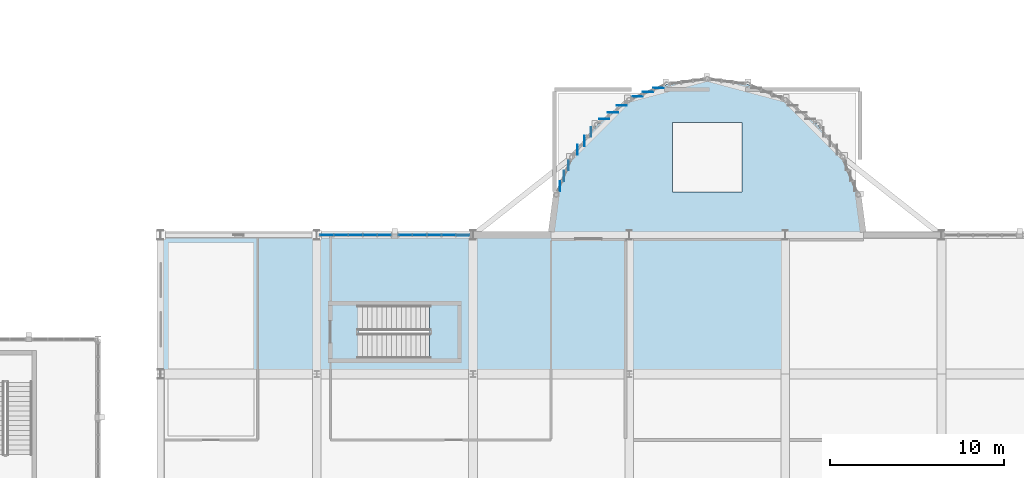
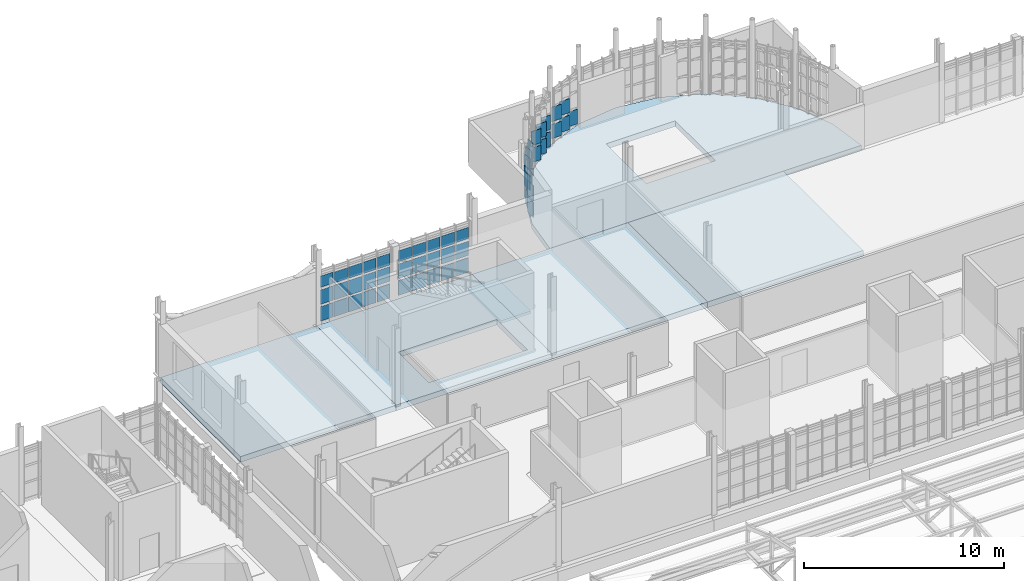
# One storey, part 88 of 128: 53 plates, 6 slabs, 7 elements without a shape of their own.
"""IFC4 building model written with IfcOpenShell, lengths in metres."""

from ifc_helpers import new_model, si_unit, direction, frame, origin, origin_2d, place, context, subcontext, project, spatial, polyline, rectangle, outline, extrude, material, layer, layer_set, type_object, element, aggregate, save


model = new_model("IFC4")

# Units and contexts
model_context = context("Model", 3, precision=1e-05, world=origin(), true_north=direction((0.0, 1.0)))
body_context = subcontext(model_context, "Body", "Model", "MODEL_VIEW")
ifc_project = project(units=[si_unit("LENGTHUNIT", "METRE"), si_unit("AREAUNIT", "SQUARE_METRE"), si_unit("VOLUMEUNIT", "CUBIC_METRE"), si_unit("PLANEANGLEUNIT", "RADIAN"), si_unit("MASSUNIT", "GRAM", prefix="KILO")], contexts=[model_context])

# Site, building, storey
site_placement = place(None, origin())
site = spatial("IfcSite", under=ifc_project, at=site_placement, CompositionType="ELEMENT")
building_placement = place(site_placement, origin())
building = spatial("IfcBuilding", under=site, at=building_placement, Name="Serraforn Aerial Cableway Station", CompositionType="ELEMENT")
storey_placement = place(building_placement, frame((0.0, 0.0, 9.0)))
storey = spatial("IfcBuildingStorey", under=building, at=storey_placement, Name="L02", CompositionType="ELEMENT", Elevation=9.0)

# Curtain wall, plates
ifc_material_1 = material(Name="Anodised bronze unitised curtain wall")
curtain_wall_type_1 = type_object("IfcCurtainWallType", Name="CW-SYS-17", PredefinedType="USERDEFINED", material=ifc_material_1)
curtain_wall_1_placement = place(storey_placement, origin())
curtain_wall_1 = element("IfcCurtainWall", 1, at=curtain_wall_1_placement, inside=storey, type_object=curtain_wall_type_1, Name="Unitised Curtain Wall CW-CV-L02-N2A", ObjectType="UNITISED CURTAIN WALL", PredefinedType="USERDEFINED")
ifc_material_2 = material(Name="Solar-control low-E double glazing", Category="glass")
ifc_layer_1 = layer(ifc_material_2, 0.02587890625)
ifc_layer_set_1 = layer_set([ifc_layer_1], Name="Solar-control low-E double glazing")
plate_type_1 = type_object("IfcPlateType", Name="CW-GLZ-1", PredefinedType="CURTAIN_PANEL", material=ifc_layer_set_1)
plate_1_placement = place(storey_placement, frame((44.20166015625, 42.0, 2.24169921875), z_axis=(0.0, 0.0, 1.0), x_axis=(1.0, 0.0, 0.0)))
plate_1 = element("IfcPlate", 2, at=plate_1_placement, type_object=plate_type_1, Name="Curtain Wall Panel CW-CV-L02-N2A-P2-3", PredefinedType="CURTAIN_PANEL", context=body_context, shape_type="SweptSolid", body=[
    extrude(rectangle(XDim=0.77099609375, YDim=0.02587890625, at=origin_2d()), origin(), (0.0, 0.0, 1.0), 0.709716796875),
])
plate_2_placement = place(storey_placement, frame((43.3671875, 42.0, 1.2158203125), z_axis=(0.0, 0.0, 1.0), x_axis=(1.0, 0.0, 0.0)))
plate_2 = element("IfcPlate", 3, at=plate_2_placement, type_object=plate_type_1, Name="Curtain Wall Panel CW-CV-L02-N2A-P3-2", PredefinedType="CURTAIN_PANEL", context=body_context, shape_type="SweptSolid", body=[
    extrude(rectangle(XDim=0.765869140625, YDim=0.02587890625, at=origin_2d()), origin(), (0.0, 0.0, 1.0), 0.9150390625),
])
plate_3_placement = place(storey_placement, frame((42.526611328125, 42.0, 0.189697265625), z_axis=(0.0, 0.0, 1.0), x_axis=(1.0, 0.0, 0.0)))
plate_3 = element("IfcPlate", 4, at=plate_3_placement, type_object=plate_type_1, Name="Curtain Wall Panel CW-CV-L02-N2A-P4-1", PredefinedType="CURTAIN_PANEL", context=body_context, shape_type="SweptSolid", body=[
    extrude(rectangle(XDim=0.7734375, YDim=0.02587890625, at=origin_2d()), origin(), (0.0, 0.0, 1.0), 0.9150390625),
])

curtain_wall_type_2 = type_object("IfcCurtainWallType", Name="CW-SYS-18", PredefinedType="USERDEFINED", material=ifc_material_1)
curtain_wall_2_placement = place(storey_placement, origin())
curtain_wall_2 = element("IfcCurtainWall", 5, at=curtain_wall_2_placement, inside=storey, type_object=curtain_wall_type_2, Name="Unitised Curtain Wall CW-CV-L02-N2B", ObjectType="UNITISED CURTAIN WALL", PredefinedType="USERDEFINED")
plate_4_placement = place(storey_placement, frame((40.48779296875, 42.0, 2.24169921875), z_axis=(0.0, 0.0, 1.0), x_axis=(1.0, 0.0, 0.0)))
plate_4 = element("IfcPlate", 6, at=plate_4_placement, type_object=plate_type_1, Name="Curtain Wall Panel CW-CV-L02-N2B-P1-3", PredefinedType="CURTAIN_PANEL", context=body_context, shape_type="SweptSolid", body=[
    extrude(rectangle(XDim=0.73828125, YDim=0.02587890625, at=origin_2d()), origin(), (0.0, 0.0, 1.0), 0.709716796875),
])
plate_5_placement = place(storey_placement, frame((39.669677734375, 42.0, 1.2158203125), z_axis=(0.0, 0.0, 1.0), x_axis=(1.0, 0.0, 0.0)))
plate_5 = element("IfcPlate", 7, at=plate_5_placement, type_object=plate_type_1, Name="Curtain Wall Panel CW-CV-L02-N2B-P2-2", PredefinedType="CURTAIN_PANEL", context=body_context, shape_type="SweptSolid", body=[
    extrude(rectangle(XDim=0.765869140625, YDim=0.02587890625, at=origin_2d()), origin(), (0.0, 0.0, 1.0), 0.9150390625),
])
plate_6_placement = place(storey_placement, frame((38.8291015625, 42.0, 0.189697265625), z_axis=(0.0, 0.0, 1.0), x_axis=(1.0, 0.0, 0.0)))
plate_6 = element("IfcPlate", 8, at=plate_6_placement, type_object=plate_type_1, Name="Curtain Wall Panel CW-CV-L02-N2B-P3-1", PredefinedType="CURTAIN_PANEL", context=body_context, shape_type="SweptSolid", body=[
    extrude(rectangle(XDim=0.7734375, YDim=0.02587890625, at=origin_2d()), origin(), (0.0, 0.0, 1.0), 0.9150390625),
])

# Curtain wall, plate
curtain_wall_type_3 = type_object("IfcCurtainWallType", Name="CW-SYS-5", PredefinedType="USERDEFINED", material=ifc_material_1)
curtain_wall_3_placement = place(storey_placement, origin())
curtain_wall_3 = element("IfcCurtainWall", 9, at=curtain_wall_3_placement, inside=storey, type_object=curtain_wall_type_3, Name="Unitised Curtain Wall CW-AP-L02-R2", ObjectType="UNITISED CURTAIN WALL", PredefinedType="USERDEFINED")
plate_7_placement = place(storey_placement, frame((50.60498046875, 44.807861328125, 1.220703125), z_axis=(0.0, 0.0, 1.0), x_axis=(1.0, 0.0, 0.0)))
plate_7 = element("IfcPlate", 10, at=plate_7_placement, type_object=plate_type_1, Name="Curtain Wall Panel CW-AP-L02-R2-P3-2", PredefinedType="CURTAIN_PANEL", context=body_context, shape_type="SweptSolid", body=[
    extrude(rectangle(XDim=0.02587890625, YDim=0.5771484375, at=origin_2d()), origin(), (0.0, 0.0, 1.0), 0.902587890625),
])

# Curtain wall, plates
curtain_wall_type_4 = type_object("IfcCurtainWallType", Name="CW-SYS-6", PredefinedType="USERDEFINED", material=ifc_material_1)
curtain_wall_4_placement = place(storey_placement, origin())
curtain_wall_4 = element("IfcCurtainWall", 11, at=curtain_wall_4_placement, inside=storey, type_object=curtain_wall_type_4, Name="Unitised Curtain Wall CW-AP-L02-R3", ObjectType="UNITISED CURTAIN WALL", PredefinedType="USERDEFINED")
plate_8_placement = place(storey_placement, frame((52.017822265625, 47.427978515625, 1.220703125), z_axis=(0.0, 0.0, 1.0), x_axis=(1.0, 0.0, 0.0)))
plate_8 = element("IfcPlate", 12, at=plate_8_placement, type_object=plate_type_1, Name="Curtain Wall Panel CW-AP-L02-R3-P2-2", PredefinedType="CURTAIN_PANEL", context=body_context, shape_type="SweptSolid", body=[
    extrude(rectangle(XDim=0.02587890625, YDim=0.595947265625, at=origin_2d()), origin(), (0.0, 0.0, 1.0), 0.902587890625),
])
plate_9_placement = place(storey_placement, frame((51.630859375, 46.923828125, 0.19482421875), z_axis=(0.0, 0.0, 1.0), x_axis=(1.0, 0.0, 0.0)))
plate_9 = element("IfcPlate", 13, at=plate_9_placement, type_object=plate_type_1, Name="Curtain Wall Panel CW-AP-L02-R3-P3-1", PredefinedType="CURTAIN_PANEL", context=body_context, shape_type="SweptSolid", body=[
    extrude(rectangle(XDim=0.02587890625, YDim=0.573486328125, at=origin_2d()), origin(), (0.0, 0.0, 1.0), 0.902587890625),
])

curtain_wall_type_5 = type_object("IfcCurtainWallType", Name="CW-SYS-7", PredefinedType="USERDEFINED", material=ifc_material_1)
curtain_wall_5_placement = place(storey_placement, origin())
curtain_wall_5 = element("IfcCurtainWall", 14, at=curtain_wall_5_placement, inside=storey, type_object=curtain_wall_type_5, Name="Unitised Curtain Wall CW-AP-L02-R4", ObjectType="UNITISED CURTAIN WALL", PredefinedType="USERDEFINED")
plate_10_placement = place(storey_placement, frame((54.17041015625, 49.464599609375, 1.220703125), z_axis=(0.0, 0.0, 1.0), x_axis=(1.0, 0.0, 0.0)))
plate_10 = element("IfcPlate", 15, at=plate_10_placement, type_object=plate_type_1, Name="Curtain Wall Panel CW-AP-L02-R4-P1-2", PredefinedType="CURTAIN_PANEL", context=body_context, shape_type="SweptSolid", body=[
    extrude(rectangle(XDim=0.558349609375, YDim=0.02587890625, at=origin_2d()), origin(), (0.0, 0.0, 1.0), 0.902587890625),
])
plate_11_placement = place(storey_placement, frame((53.6689453125, 49.079833984375, 0.19482421875), z_axis=(0.0, 0.0, 1.0), x_axis=(1.0, 0.0, 0.0)))
plate_11 = element("IfcPlate", 16, at=plate_11_placement, type_object=plate_type_1, Name="Curtain Wall Panel CW-AP-L02-R4-P2-1", PredefinedType="CURTAIN_PANEL", context=body_context, shape_type="SweptSolid", body=[
    extrude(rectangle(XDim=0.603515625, YDim=0.02587890625, at=origin_2d()), origin(), (0.0, 0.0, 1.0), 0.902587890625),
])

# Curtain wall, plate
curtain_wall_type_6 = type_object("IfcCurtainWallType", Name="CW-SYS-8", PredefinedType="USERDEFINED", material=ifc_material_1)
curtain_wall_6_placement = place(storey_placement, origin())
curtain_wall_6 = element("IfcCurtainWall", 17, at=curtain_wall_6_placement, inside=storey, type_object=curtain_wall_type_6, Name="Unitised Curtain Wall CW-AP-L02-R5", ObjectType="UNITISED CURTAIN WALL", PredefinedType="USERDEFINED")
plate_12_placement = place(storey_placement, frame((56.288818359375, 50.49365234375, 0.19482421875), z_axis=(0.0, 0.0, 1.0), x_axis=(1.0, 0.0, 0.0)))
plate_12 = element("IfcPlate", 18, at=plate_12_placement, type_object=plate_type_1, Name="Curtain Wall Panel CW-AP-L02-R5-P1-1", PredefinedType="CURTAIN_PANEL", context=body_context, shape_type="SweptSolid", body=[
    extrude(rectangle(XDim=0.584716796875, YDim=0.02587890625, at=origin_2d()), origin(), (0.0, 0.0, 1.0), 0.902587890625),
])

# Plate
ifc_layer_2 = layer(ifc_material_2, 0.028076171875)
ifc_layer_set_2 = layer_set([ifc_layer_2], Name="Solar-control low-E double glazing")
plate_type_2 = type_object("IfcPlateType", Name="CW-GLZ-2", PredefinedType="CURTAIN_PANEL", material=ifc_layer_set_2)
plate_13_placement = place(storey_placement, frame((43.3671875, 42.0, 2.246826171875), z_axis=(0.0, 0.0, 1.0), x_axis=(1.0, 0.0, 0.0)))
plate_13 = element("IfcPlate", 19, at=plate_13_placement, type_object=plate_type_2, Name="Curtain Wall Panel CW-CV-L02-N2A-P3-3", PredefinedType="CURTAIN_PANEL", context=body_context, shape_type="SweptSolid", body=[
    extrude(rectangle(XDim=0.765869140625, YDim=0.028076171875, at=origin_2d()), origin(), (0.0, 0.0, 1.0), 0.697265625),
])

plate_14_placement = place(storey_placement, frame((42.526611328125, 42.0, 1.220703125), z_axis=(0.0, 0.0, 1.0), x_axis=(1.0, 0.0, 0.0)))
plate_14 = element("IfcPlate", 20, at=plate_14_placement, type_object=plate_type_2, Name="Curtain Wall Panel CW-CV-L02-N2A-P4-2", PredefinedType="CURTAIN_PANEL", context=body_context, shape_type="SweptSolid", body=[
    extrude(rectangle(XDim=0.7734375, YDim=0.028076171875, at=origin_2d()), origin(), (0.0, 0.0, 1.0), 0.902587890625),
])

plate_15_placement = place(storey_placement, frame((41.71337890625, 42.0, 0.19482421875), z_axis=(0.0, 0.0, 1.0), x_axis=(1.0, 0.0, 0.0)))
plate_15 = element("IfcPlate", 21, at=plate_15_placement, type_object=plate_type_2, Name="Curtain Wall Panel CW-CV-L02-N2A-P5-1", PredefinedType="CURTAIN_PANEL", context=body_context, shape_type="SweptSolid", body=[
    extrude(rectangle(XDim=0.7509765625, YDim=0.028076171875, at=origin_2d()), origin(), (0.0, 0.0, 1.0), 0.902587890625),
])

plate_16_placement = place(storey_placement, frame((39.669677734375, 42.0, 2.246826171875), z_axis=(0.0, 0.0, 1.0), x_axis=(1.0, 0.0, 0.0)))
plate_16 = element("IfcPlate", 22, at=plate_16_placement, type_object=plate_type_2, Name="Curtain Wall Panel CW-CV-L02-N2B-P2-3", PredefinedType="CURTAIN_PANEL", context=body_context, shape_type="SweptSolid", body=[
    extrude(rectangle(XDim=0.765869140625, YDim=0.028076171875, at=origin_2d()), origin(), (0.0, 0.0, 1.0), 0.697265625),
])

plate_17_placement = place(storey_placement, frame((38.8291015625, 42.0, 1.220703125), z_axis=(0.0, 0.0, 1.0), x_axis=(1.0, 0.0, 0.0)))
plate_17 = element("IfcPlate", 23, at=plate_17_placement, type_object=plate_type_2, Name="Curtain Wall Panel CW-CV-L02-N2B-P3-2", PredefinedType="CURTAIN_PANEL", context=body_context, shape_type="SweptSolid", body=[
    extrude(rectangle(XDim=0.7734375, YDim=0.028076171875, at=origin_2d()), origin(), (0.0, 0.0, 1.0), 0.902587890625),
])

plate_18_placement = place(storey_placement, frame((38.000732421875, 42.0, 0.19482421875), z_axis=(0.0, 0.0, 1.0), x_axis=(1.0, 0.0, 0.0)))
plate_18 = element("IfcPlate", 24, at=plate_18_placement, type_object=plate_type_2, Name="Curtain Wall Panel CW-CV-L02-N2B-P4-1", PredefinedType="CURTAIN_PANEL", context=body_context, shape_type="SweptSolid", body=[
    extrude(rectangle(XDim=0.781005859375, YDim=0.028076171875, at=origin_2d()), origin(), (0.0, 0.0, 1.0), 0.902587890625),
])

plate_19_placement = place(storey_placement, frame((51.630859375, 46.923828125, 1.228515625), z_axis=(0.0, 0.0, 1.0), x_axis=(1.0, 0.0, 0.0)))
plate_19 = element("IfcPlate", 25, at=plate_19_placement, type_object=plate_type_2, Name="Curtain Wall Panel CW-AP-L02-R3-P3-2", PredefinedType="CURTAIN_PANEL", context=body_context, shape_type="SweptSolid", body=[
    extrude(rectangle(XDim=0.028076171875, YDim=0.573486328125, at=origin_2d()), origin(), (0.0, 0.0, 1.0), 0.887451171875),
])

plate_20_placement = place(storey_placement, frame((53.6689453125, 49.079833984375, 1.228515625), z_axis=(0.0, 0.0, 1.0), x_axis=(1.0, 0.0, 0.0)))
plate_20 = element("IfcPlate", 26, at=plate_20_placement, type_object=plate_type_2, Name="Curtain Wall Panel CW-AP-L02-R4-P2-2", PredefinedType="CURTAIN_PANEL", context=body_context, shape_type="SweptSolid", body=[
    extrude(rectangle(XDim=0.603515625, YDim=0.028076171875, at=origin_2d()), origin(), (0.0, 0.0, 1.0), 0.887451171875),
])

plate_21_placement = place(storey_placement, frame((53.160888671875, 48.68994140625, 0.2021484375), z_axis=(0.0, 0.0, 1.0), x_axis=(1.0, 0.0, 0.0)))
plate_21 = element("IfcPlate", 27, at=plate_21_placement, type_object=plate_type_2, Name="Curtain Wall Panel CW-AP-L02-R4-P3-1", PredefinedType="CURTAIN_PANEL", context=body_context, shape_type="SweptSolid", body=[
    extrude(rectangle(XDim=0.56591796875, YDim=0.028076171875, at=origin_2d()), origin(), (0.0, 0.0, 1.0), 0.887451171875),
])

plate_22_placement = place(storey_placement, frame((55.6865234375, 50.244140625, 0.2021484375), z_axis=(0.0, 0.0, 1.0), x_axis=(1.0, 0.0, 0.0)))
plate_22 = element("IfcPlate", 28, at=plate_22_placement, type_object=plate_type_2, Name="Curtain Wall Panel CW-AP-L02-R5-P2-1", PredefinedType="CURTAIN_PANEL", context=body_context, shape_type="SweptSolid", body=[
    extrude(rectangle(XDim=0.607177734375, YDim=0.028076171875, at=origin_2d()), origin(), (0.0, 0.0, 1.0), 0.887451171875),
])

ifc_layer_3 = layer(ifc_material_2, 0.030029296875)
ifc_layer_set_3 = layer_set([ifc_layer_3], Name="Solar-control low-E double glazing")
plate_type_3 = type_object("IfcPlateType", Name="CW-GLZ-3", PredefinedType="CURTAIN_PANEL", material=ifc_layer_set_3)
plate_23_placement = place(storey_placement, frame((42.526611328125, 42.0, 2.25439453125), z_axis=(0.0, 0.0, 1.0), x_axis=(1.0, 0.0, 0.0)))
plate_23 = element("IfcPlate", 29, at=plate_23_placement, type_object=plate_type_3, Name="Curtain Wall Panel CW-CV-L02-N2A-P4-3", PredefinedType="CURTAIN_PANEL", context=body_context, shape_type="SweptSolid", body=[
    extrude(rectangle(XDim=0.7734375, YDim=0.030029296875, at=origin_2d()), origin(), (0.0, 0.0, 1.0), 0.682373046875),
])

plate_24_placement = place(storey_placement, frame((41.71337890625, 42.0, 1.228515625), z_axis=(0.0, 0.0, 1.0), x_axis=(1.0, 0.0, 0.0)))
plate_24 = element("IfcPlate", 30, at=plate_24_placement, type_object=plate_type_3, Name="Curtain Wall Panel CW-CV-L02-N2A-P5-2", PredefinedType="CURTAIN_PANEL", context=body_context, shape_type="SweptSolid", body=[
    extrude(rectangle(XDim=0.7509765625, YDim=0.030029296875, at=origin_2d()), origin(), (0.0, 0.0, 1.0), 0.887451171875),
])

plate_25_placement = place(storey_placement, frame((38.8291015625, 42.0, 2.25439453125), z_axis=(0.0, 0.0, 1.0), x_axis=(1.0, 0.0, 0.0)))
plate_25 = element("IfcPlate", 31, at=plate_25_placement, type_object=plate_type_3, Name="Curtain Wall Panel CW-CV-L02-N2B-P3-3", PredefinedType="CURTAIN_PANEL", context=body_context, shape_type="SweptSolid", body=[
    extrude(rectangle(XDim=0.7734375, YDim=0.030029296875, at=origin_2d()), origin(), (0.0, 0.0, 1.0), 0.682373046875),
])

plate_26_placement = place(storey_placement, frame((38.000732421875, 42.0, 1.228515625), z_axis=(0.0, 0.0, 1.0), x_axis=(1.0, 0.0, 0.0)))
plate_26 = element("IfcPlate", 32, at=plate_26_placement, type_object=plate_type_3, Name="Curtain Wall Panel CW-CV-L02-N2B-P4-2", PredefinedType="CURTAIN_PANEL", context=body_context, shape_type="SweptSolid", body=[
    extrude(rectangle(XDim=0.781005859375, YDim=0.030029296875, at=origin_2d()), origin(), (0.0, 0.0, 1.0), 0.887451171875),
])

plate_27_placement = place(storey_placement, frame((37.1826171875, 42.0, 0.2021484375), z_axis=(0.0, 0.0, 1.0), x_axis=(1.0, 0.0, 0.0)))
plate_27 = element("IfcPlate", 33, at=plate_27_placement, type_object=plate_type_3, Name="Curtain Wall Panel CW-CV-L02-N2B-P5-1", PredefinedType="CURTAIN_PANEL", context=body_context, shape_type="SweptSolid", body=[
    extrude(rectangle(XDim=0.743408203125, YDim=0.030029296875, at=origin_2d()), origin(), (0.0, 0.0, 1.0), 0.887451171875),
])

plate_28_placement = place(storey_placement, frame((53.160888671875, 48.68994140625, 1.23583984375), z_axis=(0.0, 0.0, 1.0), x_axis=(1.0, 0.0, 0.0)))
plate_28 = element("IfcPlate", 34, at=plate_28_placement, type_object=plate_type_3, Name="Curtain Wall Panel CW-AP-L02-R4-P3-2", PredefinedType="CURTAIN_PANEL", context=body_context, shape_type="SweptSolid", body=[
    extrude(rectangle(XDim=0.56591796875, YDim=0.030029296875, at=origin_2d()), origin(), (0.0, 0.0, 1.0), 0.87255859375),
])

plate_29_placement = place(storey_placement, frame((55.6865234375, 50.244140625, 1.23583984375), z_axis=(0.0, 0.0, 1.0), x_axis=(1.0, 0.0, 0.0)))
plate_29 = element("IfcPlate", 35, at=plate_29_placement, type_object=plate_type_3, Name="Curtain Wall Panel CW-AP-L02-R5-P2-2", PredefinedType="CURTAIN_PANEL", context=body_context, shape_type="SweptSolid", body=[
    extrude(rectangle(XDim=0.607177734375, YDim=0.030029296875, at=origin_2d()), origin(), (0.0, 0.0, 1.0), 0.87255859375),
])

plate_30_placement = place(storey_placement, frame((55.087646484375, 49.99609375, 0.209716796875), z_axis=(0.0, 0.0, 1.0), x_axis=(1.0, 0.0, 0.0)))
plate_30 = element("IfcPlate", 36, at=plate_30_placement, type_object=plate_type_3, Name="Curtain Wall Panel CW-AP-L02-R5-P3-1", PredefinedType="CURTAIN_PANEL", context=body_context, shape_type="SweptSolid", body=[
    extrude(rectangle(XDim=0.567138671875, YDim=0.030029296875, at=origin_2d()), origin(), (0.0, 0.0, 1.0), 0.87255859375),
])

ifc_layer_4 = layer(ifc_material_2, 0.031982421875)
ifc_layer_set_4 = layer_set([ifc_layer_4], Name="Solar-control low-E double glazing")
plate_type_4 = type_object("IfcPlateType", Name="CW-GLZ-4", PredefinedType="CURTAIN_PANEL", material=ifc_layer_set_4)
plate_31_placement = place(storey_placement, frame((41.71337890625, 42.0, 2.26171875), z_axis=(0.0, 0.0, 1.0), x_axis=(1.0, 0.0, 0.0)))
plate_31 = element("IfcPlate", 37, at=plate_31_placement, type_object=plate_type_4, Name="Curtain Wall Panel CW-CV-L02-N2A-P5-3", PredefinedType="CURTAIN_PANEL", context=body_context, shape_type="SweptSolid", body=[
    extrude(rectangle(XDim=0.7509765625, YDim=0.031982421875, at=origin_2d()), origin(), (0.0, 0.0, 1.0), 0.667236328125),
])

plate_32_placement = place(storey_placement, frame((38.000732421875, 42.0, 2.26171875), z_axis=(0.0, 0.0, 1.0), x_axis=(1.0, 0.0, 0.0)))
plate_32 = element("IfcPlate", 38, at=plate_32_placement, type_object=plate_type_4, Name="Curtain Wall Panel CW-CV-L02-N2B-P4-3", PredefinedType="CURTAIN_PANEL", context=body_context, shape_type="SweptSolid", body=[
    extrude(rectangle(XDim=0.781005859375, YDim=0.031982421875, at=origin_2d()), origin(), (0.0, 0.0, 1.0), 0.667236328125),
])

plate_33_placement = place(storey_placement, frame((37.1826171875, 42.0, 1.23583984375), z_axis=(0.0, 0.0, 1.0), x_axis=(1.0, 0.0, 0.0)))
plate_33 = element("IfcPlate", 39, at=plate_33_placement, type_object=plate_type_4, Name="Curtain Wall Panel CW-CV-L02-N2B-P5-2", PredefinedType="CURTAIN_PANEL", context=body_context, shape_type="SweptSolid", body=[
    extrude(rectangle(XDim=0.743408203125, YDim=0.031982421875, at=origin_2d()), origin(), (0.0, 0.0, 1.0), 0.87255859375),
])

plate_34_placement = place(storey_placement, frame((55.087646484375, 49.99609375, 1.243408203125), z_axis=(0.0, 0.0, 1.0), x_axis=(1.0, 0.0, 0.0)))
plate_34 = element("IfcPlate", 40, at=plate_34_placement, type_object=plate_type_4, Name="Curtain Wall Panel CW-AP-L02-R5-P3-2", PredefinedType="CURTAIN_PANEL", context=body_context, shape_type="SweptSolid", body=[
    extrude(rectangle(XDim=0.567138671875, YDim=0.031982421875, at=origin_2d()), origin(), (0.0, 0.0, 1.0), 0.892578125),
])

aggregate(curtain_wall_6, [plate_12, plate_22, plate_29, plate_30, plate_34])

ifc_layer_5 = layer(ifc_material_2, 0.033935546875)
ifc_layer_set_5 = layer_set([ifc_layer_5], Name="Solar-control low-E double glazing")
plate_type_5 = type_object("IfcPlateType", Name="CW-GLZ-5", PredefinedType="CURTAIN_PANEL", material=ifc_layer_set_5)
plate_35_placement = place(storey_placement, frame((37.1826171875, 42.0, 2.26953125), z_axis=(0.0, 0.0, 1.0), x_axis=(1.0, 0.0, 0.0)))
plate_35 = element("IfcPlate", 41, at=plate_35_placement, type_object=plate_type_5, Name="Curtain Wall Panel CW-CV-L02-N2B-P5-3", PredefinedType="CURTAIN_PANEL", context=body_context, shape_type="SweptSolid", body=[
    extrude(rectangle(XDim=0.743408203125, YDim=0.033935546875, at=origin_2d()), origin(), (0.0, 0.0, 1.0), 0.687255859375),
])

ifc_layer_6 = layer(ifc_material_2, 0.035888671875)
ifc_layer_set_6 = layer_set([ifc_layer_6], Name="Solar-control low-E double glazing")
plate_type_6 = type_object("IfcPlateType", Name="CW-GLZ-6", PredefinedType="CURTAIN_PANEL", material=ifc_layer_set_6)
plate_36_placement = place(storey_placement, frame((45.02099609375, 42.0, 0.2021484375), z_axis=(0.0, 0.0, 1.0), x_axis=(1.0, 0.0, 0.0)))
plate_36 = element("IfcPlate", 42, at=plate_36_placement, type_object=plate_type_6, Name="Curtain Wall Panel CW-CV-L02-N2A-P1-1", PredefinedType="CURTAIN_PANEL", context=body_context, shape_type="SweptSolid", body=[
    extrude(rectangle(XDim=0.745849609375, YDim=0.035888671875, at=origin_2d()), origin(), (0.0, 0.0, 1.0), 0.887451171875),
])

plate_37_placement = place(storey_placement, frame((51.105224609375, 46.015869140625, 0.209716796875), z_axis=(0.0, 0.0, 1.0), x_axis=(1.0, 0.0, 0.0)))
plate_37 = element("IfcPlate", 43, at=plate_37_placement, type_object=plate_type_6, Name="Curtain Wall Panel CW-AP-L02-R2-P1-1", PredefinedType="CURTAIN_PANEL", context=body_context, shape_type="SweptSolid", body=[
    extrude(rectangle(XDim=0.035888671875, YDim=0.569580078125, at=origin_2d()), origin(), (0.0, 0.0, 1.0), 0.87255859375),
])

ifc_layer_7 = layer(ifc_material_2, 0.029052734375)
ifc_layer_set_7 = layer_set([ifc_layer_7], Name="Solar-control low-E double glazing")
plate_type_7 = type_object("IfcPlateType", Name="CW-GLZ-7", PredefinedType="CURTAIN_PANEL", material=ifc_layer_set_7)
plate_38_placement = place(storey_placement, frame((45.02099609375, 42.0, 1.23583984375), z_axis=(0.0, 0.0, 1.0), x_axis=(1.0, 0.0, 0.0)))
plate_38 = element("IfcPlate", 44, at=plate_38_placement, type_object=plate_type_7, Name="Curtain Wall Panel CW-CV-L02-N2A-P1-2", PredefinedType="CURTAIN_PANEL", context=body_context, shape_type="SweptSolid", body=[
    extrude(rectangle(XDim=0.745849609375, YDim=0.029052734375, at=origin_2d()), origin(), (0.0, 0.0, 1.0), 0.87255859375),
])

plate_39_placement = place(storey_placement, frame((44.20166015625, 42.0, 0.209716796875), z_axis=(0.0, 0.0, 1.0), x_axis=(1.0, 0.0, 0.0)))
plate_39 = element("IfcPlate", 45, at=plate_39_placement, type_object=plate_type_7, Name="Curtain Wall Panel CW-CV-L02-N2A-P2-1", PredefinedType="CURTAIN_PANEL", context=body_context, shape_type="SweptSolid", body=[
    extrude(rectangle(XDim=0.77099609375, YDim=0.029052734375, at=origin_2d()), origin(), (0.0, 0.0, 1.0), 0.87255859375),
])

plate_40_placement = place(storey_placement, frame((40.48779296875, 42.0, 0.209716796875), z_axis=(0.0, 0.0, 1.0), x_axis=(1.0, 0.0, 0.0)))
plate_40 = element("IfcPlate", 46, at=plate_40_placement, type_object=plate_type_7, Name="Curtain Wall Panel CW-CV-L02-N2B-P1-1", PredefinedType="CURTAIN_PANEL", context=body_context, shape_type="SweptSolid", body=[
    extrude(rectangle(XDim=0.73828125, YDim=0.029052734375, at=origin_2d()), origin(), (0.0, 0.0, 1.0), 0.87255859375),
])

plate_41_placement = place(storey_placement, frame((51.105224609375, 46.015869140625, 1.243408203125), z_axis=(0.0, 0.0, 1.0), x_axis=(1.0, 0.0, 0.0)))
plate_41 = element("IfcPlate", 47, at=plate_41_placement, type_object=plate_type_7, Name="Curtain Wall Panel CW-AP-L02-R2-P1-2", PredefinedType="CURTAIN_PANEL", context=body_context, shape_type="SweptSolid", body=[
    extrude(rectangle(XDim=0.029052734375, YDim=0.569580078125, at=origin_2d()), origin(), (0.0, 0.0, 1.0), 0.892578125),
])

plate_42_placement = place(storey_placement, frame((50.856689453125, 45.416015625, 0.21728515625), z_axis=(0.0, 0.0, 1.0), x_axis=(1.0, 0.0, 0.0)))
plate_42 = element("IfcPlate", 48, at=plate_42_placement, type_object=plate_type_7, Name="Curtain Wall Panel CW-AP-L02-R2-P2-1", PredefinedType="CURTAIN_PANEL", context=body_context, shape_type="SweptSolid", body=[
    extrude(rectangle(XDim=0.029052734375, YDim=0.59716796875, at=origin_2d()), origin(), (0.0, 0.0, 1.0), 0.892578125),
])

plate_43_placement = place(storey_placement, frame((52.410888671875, 47.940185546875, 0.21728515625), z_axis=(0.0, 0.0, 1.0), x_axis=(1.0, 0.0, 0.0)))
plate_43 = element("IfcPlate", 49, at=plate_43_placement, type_object=plate_type_7, Name="Curtain Wall Panel CW-AP-L02-R3-P1-1", PredefinedType="CURTAIN_PANEL", context=body_context, shape_type="SweptSolid", body=[
    extrude(rectangle(XDim=0.029052734375, YDim=0.553466796875, at=origin_2d()), origin(), (0.0, 0.0, 1.0), 0.892578125),
])

ifc_layer_8 = layer(ifc_material_2, 0.031005859375)
ifc_layer_set_8 = layer_set([ifc_layer_8], Name="Solar-control low-E double glazing")
plate_type_8 = type_object("IfcPlateType", Name="CW-GLZ-8", PredefinedType="CURTAIN_PANEL", material=ifc_layer_set_8)
plate_44_placement = place(storey_placement, frame((45.02099609375, 42.0, 2.26953125), z_axis=(0.0, 0.0, 1.0), x_axis=(1.0, 0.0, 0.0)))
plate_44 = element("IfcPlate", 50, at=plate_44_placement, type_object=plate_type_8, Name="Curtain Wall Panel CW-CV-L02-N2A-P1-3", PredefinedType="CURTAIN_PANEL", context=body_context, shape_type="SweptSolid", body=[
    extrude(rectangle(XDim=0.745849609375, YDim=0.031005859375, at=origin_2d()), origin(), (0.0, 0.0, 1.0), 0.687255859375),
])

plate_45_placement = place(storey_placement, frame((44.20166015625, 42.0, 1.243408203125), z_axis=(0.0, 0.0, 1.0), x_axis=(1.0, 0.0, 0.0)))
plate_45 = element("IfcPlate", 51, at=plate_45_placement, type_object=plate_type_8, Name="Curtain Wall Panel CW-CV-L02-N2A-P2-2", PredefinedType="CURTAIN_PANEL", context=body_context, shape_type="SweptSolid", body=[
    extrude(rectangle(XDim=0.77099609375, YDim=0.031005859375, at=origin_2d()), origin(), (0.0, 0.0, 1.0), 0.892578125),
])

plate_46_placement = place(storey_placement, frame((43.3671875, 42.0, 0.21728515625), z_axis=(0.0, 0.0, 1.0), x_axis=(1.0, 0.0, 0.0)))
plate_46 = element("IfcPlate", 52, at=plate_46_placement, type_object=plate_type_8, Name="Curtain Wall Panel CW-CV-L02-N2A-P3-1", PredefinedType="CURTAIN_PANEL", context=body_context, shape_type="SweptSolid", body=[
    extrude(rectangle(XDim=0.765869140625, YDim=0.031005859375, at=origin_2d()), origin(), (0.0, 0.0, 1.0), 0.892578125),
])

aggregate(curtain_wall_1, [plate_36, plate_38, plate_44, plate_39, plate_45, plate_1, plate_46, plate_2, plate_13, plate_3, plate_14, plate_23, plate_15, plate_24, plate_31])

plate_47_placement = place(storey_placement, frame((40.48779296875, 42.0, 1.243408203125), z_axis=(0.0, 0.0, 1.0), x_axis=(1.0, 0.0, 0.0)))
plate_47 = element("IfcPlate", 53, at=plate_47_placement, type_object=plate_type_8, Name="Curtain Wall Panel CW-CV-L02-N2B-P1-2", PredefinedType="CURTAIN_PANEL", context=body_context, shape_type="SweptSolid", body=[
    extrude(rectangle(XDim=0.73828125, YDim=0.031005859375, at=origin_2d()), origin(), (0.0, 0.0, 1.0), 0.892578125),
])

plate_48_placement = place(storey_placement, frame((39.669677734375, 42.0, 0.21728515625), z_axis=(0.0, 0.0, 1.0), x_axis=(1.0, 0.0, 0.0)))
plate_48 = element("IfcPlate", 54, at=plate_48_placement, type_object=plate_type_8, Name="Curtain Wall Panel CW-CV-L02-N2B-P2-1", PredefinedType="CURTAIN_PANEL", context=body_context, shape_type="SweptSolid", body=[
    extrude(rectangle(XDim=0.765869140625, YDim=0.031005859375, at=origin_2d()), origin(), (0.0, 0.0, 1.0), 0.892578125),
])

aggregate(curtain_wall_2, [plate_40, plate_47, plate_4, plate_48, plate_5, plate_16, plate_6, plate_17, plate_25, plate_18, plate_26, plate_32, plate_27, plate_33, plate_35])

plate_49_placement = place(storey_placement, frame((50.856689453125, 45.416015625, 1.2158203125), z_axis=(0.0, 0.0, 1.0), x_axis=(1.0, 0.0, 0.0)))
plate_49 = element("IfcPlate", 55, at=plate_49_placement, type_object=plate_type_8, Name="Curtain Wall Panel CW-AP-L02-R2-P2-2", PredefinedType="CURTAIN_PANEL", context=body_context, shape_type="SweptSolid", body=[
    extrude(rectangle(XDim=0.031005859375, YDim=0.59716796875, at=origin_2d()), origin(), (0.0, 0.0, 1.0), 0.9150390625),
])

plate_50_placement = place(storey_placement, frame((50.60498046875, 44.807861328125, 0.189697265625), z_axis=(0.0, 0.0, 1.0), x_axis=(1.0, 0.0, 0.0)))
plate_50 = element("IfcPlate", 56, at=plate_50_placement, type_object=plate_type_8, Name="Curtain Wall Panel CW-AP-L02-R2-P3-1", PredefinedType="CURTAIN_PANEL", context=body_context, shape_type="SweptSolid", body=[
    extrude(rectangle(XDim=0.031005859375, YDim=0.5771484375, at=origin_2d()), origin(), (0.0, 0.0, 1.0), 0.9150390625),
])

aggregate(curtain_wall_3, [plate_37, plate_41, plate_42, plate_49, plate_50, plate_7])

plate_51_placement = place(storey_placement, frame((52.410888671875, 47.940185546875, 1.2158203125), z_axis=(0.0, 0.0, 1.0), x_axis=(1.0, 0.0, 0.0)))
plate_51 = element("IfcPlate", 57, at=plate_51_placement, type_object=plate_type_8, Name="Curtain Wall Panel CW-AP-L02-R3-P1-2", PredefinedType="CURTAIN_PANEL", context=body_context, shape_type="SweptSolid", body=[
    extrude(rectangle(XDim=0.031005859375, YDim=0.553466796875, at=origin_2d()), origin(), (0.0, 0.0, 1.0), 0.9150390625),
])

plate_52_placement = place(storey_placement, frame((52.017822265625, 47.427978515625, 0.189697265625), z_axis=(0.0, 0.0, 1.0), x_axis=(1.0, 0.0, 0.0)))
plate_52 = element("IfcPlate", 58, at=plate_52_placement, type_object=plate_type_8, Name="Curtain Wall Panel CW-AP-L02-R3-P2-1", PredefinedType="CURTAIN_PANEL", context=body_context, shape_type="SweptSolid", body=[
    extrude(rectangle(XDim=0.031005859375, YDim=0.595947265625, at=origin_2d()), origin(), (0.0, 0.0, 1.0), 0.9150390625),
])

aggregate(curtain_wall_4, [plate_43, plate_51, plate_52, plate_8, plate_9, plate_19])

plate_53_placement = place(storey_placement, frame((54.17041015625, 49.464599609375, 0.189697265625), z_axis=(0.0, 0.0, 1.0), x_axis=(1.0, 0.0, 0.0)))
plate_53 = element("IfcPlate", 59, at=plate_53_placement, type_object=plate_type_8, Name="Curtain Wall Panel CW-AP-L02-R4-P1-1", PredefinedType="CURTAIN_PANEL", context=body_context, shape_type="SweptSolid", body=[
    extrude(rectangle(XDim=0.558349609375, YDim=0.031005859375, at=origin_2d()), origin(), (0.0, 0.0, 1.0), 0.9150390625),
])

aggregate(curtain_wall_5, [plate_53, plate_10, plate_11, plate_20, plate_21, plate_28])

# Slabs
ifc_material_3 = material(Name="Concrete C40/50", Category="concrete")
ifc_layer_9 = layer(ifc_material_3, 0.340087890625)
ifc_layer_set_9 = layer_set([ifc_layer_9], Name="Concrete C40/50")
slab_type_1 = type_object("IfcSlabType", Name="SLB-FLR-340", PredefinedType="FLOOR", material=ifc_layer_set_9)
slab_1_placement = place(storey_placement, frame((0.0, 0.0, -0.340087890625)))
element("IfcSlab", 60, at=slab_1_placement, inside=storey, type_object=slab_type_1, Name="Floor Slab CV-L02-1-3", PredefinedType="FLOOR", context=body_context, shape_type="SweptSolid", body=[
    extrude(outline(polyline([(27.60009765625, 34.0), (36.60009765625, 34.0), (36.60009765625, 42.0), (27.60009765625, 42.0), (27.60009765625, 34.0)])), origin(), (0.0, 0.0, 1.0), 0.340087890625),
])
slab_2_placement = place(storey_placement, frame((0.0, 0.0, -0.340087890625)))
element("IfcSlab", 61, at=slab_2_placement, inside=storey, type_object=slab_type_1, Name="Floor Slab CV-L02-2-3", PredefinedType="FLOOR", context=body_context, shape_type="SweptSolid", body=[
    extrude(outline(polyline([(36.60009765625, 34.0), (45.60009765625, 34.0), (45.60009765625, 42.0), (36.60009765625, 42.0), (36.60009765625, 34.0)]), holes=[polyline([(39.0, 34.89990234375), (44.699951171875, 34.89990234375), (44.699951171875, 37.9599609375), (39.0, 37.9599609375), (39.0, 34.89990234375)])]), origin(), (0.0, 0.0, 1.0), 0.340087890625),
])
slab_3_placement = place(storey_placement, frame((0.0, 0.0, -0.340087890625)))
element("IfcSlab", 62, at=slab_3_placement, inside=storey, type_object=slab_type_1, Name="Floor Slab CV-L02-3-3", PredefinedType="FLOOR", context=body_context, shape_type="SweptSolid", body=[
    extrude(outline(polyline([(45.60009765625, 34.0), (54.60009765625, 34.0), (54.60009765625, 42.0), (45.60009765625, 42.0), (45.60009765625, 34.0)])), origin(), (0.0, 0.0, 1.0), 0.340087890625),
])
slab_4_placement = place(storey_placement, frame((0.0, 0.0, -0.340087890625)))
element("IfcSlab", 63, at=slab_4_placement, inside=storey, type_object=slab_type_1, Name="Floor Slab CV-L02-4-3", PredefinedType="FLOOR", context=body_context, shape_type="SweptSolid", body=[
    extrude(outline(polyline([(54.60009765625, 34.0), (63.60009765625, 34.0), (63.60009765625, 42.0), (54.60009765625, 42.0), (54.60009765625, 34.0)])), origin(), (0.0, 0.0, 1.0), 0.340087890625),
])
slab_5_placement = place(storey_placement, frame((0.0, 0.0, -0.340087890625)))
element("IfcSlab", 64, at=slab_5_placement, inside=storey, type_object=slab_type_1, Name="Bullwheel Apse Slab L02", PredefinedType="FLOOR", context=body_context, shape_type="SweptSolid", body=[
    extrude(outline(polyline([(50.10009765625, 42.0), (50.10009765625, 42.0), (50.40673828125, 44.329345703125), (51.305908203125, 46.5), (52.736083984375, 48.364013671875), (54.60009765625, 49.794189453125), (56.7705078125, 50.693359375), (59.10009765625, 51.0), (61.429443359375, 50.693359375), (63.60009765625, 49.794189453125), (65.464111328125, 48.364013671875), (66.894287109375, 46.5), (67.793212890625, 44.329345703125), (68.10009765625, 42.0), (68.10009765625, 42.0), (50.10009765625, 42.0)]), holes=[polyline([(57.10009765625, 44.5), (61.10009765625, 44.5), (61.10009765625, 48.5), (57.10009765625, 48.5), (57.10009765625, 44.5)])]), origin(), (0.0, 0.0, 1.0), 0.340087890625),
])

# Stair, slab
ifc_material_4 = material(Name="Concrete C35/45", Category="concrete")
stair_type = type_object("IfcStairType", Name="STR-DL-2", PredefinedType="HALF_TURN_STAIR", material=ifc_material_4)
stair_placement = place(storey_placement, origin())
stair = element("IfcStair", 65, at=stair_placement, inside=storey, type_object=stair_type, Name="L02 Vault Central West Exit Stair 4", PredefinedType="HALF_TURN_STAIR")
ifc_layer_10 = layer(ifc_material_4, 0.159912109375)
ifc_layer_set_10 = layer_set([ifc_layer_10], Name="Concrete C35/45")
slab_type_2 = type_object("IfcSlabType", Name="SLB-LND-160", PredefinedType="LANDING", material=ifc_layer_set_10)
slab_6_placement = place(storey_placement, frame((0.0, 0.0, 2.239990234375)))
slab_6 = element("IfcSlab", 66, at=slab_6_placement, type_object=slab_type_2, Name="ST-04 landing 1", PredefinedType="LANDING", context=body_context, shape_type="SweptSolid", body=[
    extrude(outline(polyline([(43.10009765625, 34.780029296875), (44.820068359375, 34.780029296875), (44.820068359375, 38.080078125), (43.10009765625, 38.080078125), (43.10009765625, 34.780029296875)])), origin(), (0.0, 0.0, 1.0), 0.159912109375),
])
aggregate(stair, [slab_6])

save(model, "model.ifc")
